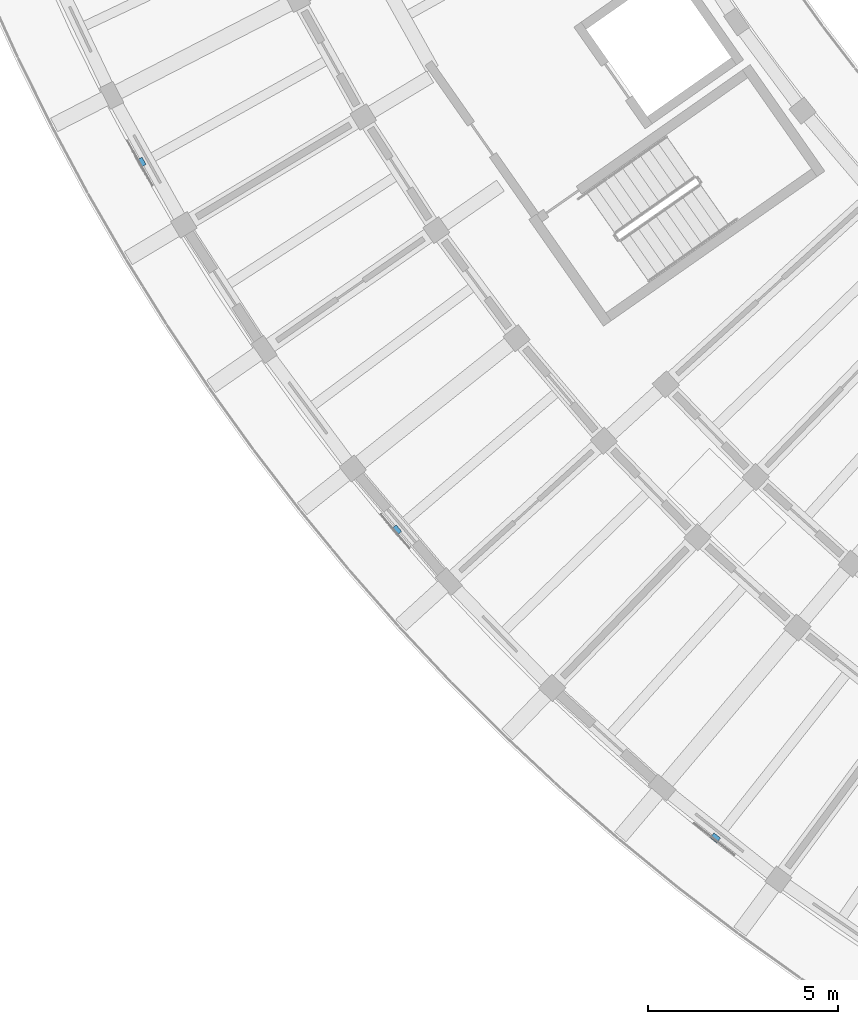
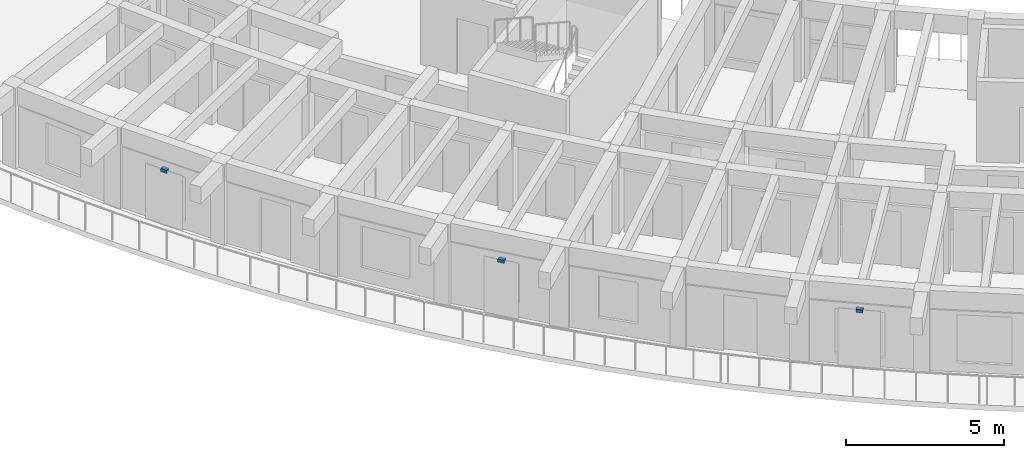
# One storey, part 38 of 56: 3 discrete accessories.
"""IFC4 building model written with IfcOpenShell, lengths in metres."""

from ifc_helpers import new_model, si_unit, direction, frame, origin, origin_2d, place, context, subcontext, project, spatial, rectangle, extrude, material, type_object, element, save


model = new_model("IFC4")

# Units and contexts
model_context = context("Model", 3, precision=1e-05, world=origin(), true_north=direction((0.0, 1.0)))
body_context = subcontext(model_context, "Body", "Model", "MODEL_VIEW")
ifc_project = project(units=[si_unit("LENGTHUNIT", "METRE"), si_unit("AREAUNIT", "SQUARE_METRE"), si_unit("VOLUMEUNIT", "CUBIC_METRE"), si_unit("PLANEANGLEUNIT", "RADIAN"), si_unit("MASSUNIT", "GRAM", prefix="KILO")], contexts=[model_context])

# Site, building, storey
site_placement = place(None, origin())
site = spatial("IfcSite", under=ifc_project, at=site_placement, CompositionType="ELEMENT")
building_placement = place(site_placement, origin())
building = spatial("IfcBuilding", under=site, at=building_placement, Name="Tanwirah Colonnade Gardens", CompositionType="ELEMENT")
storey_placement = place(building_placement, frame((0.0, 0.0, 29.0)))
storey = spatial("IfcBuildingStorey", under=building, at=storey_placement, Name="L08", CompositionType="ELEMENT", Elevation=29.0)

# Discrete accessories
ifc_material = material(Name="Steel S355", Category="steel")
discrete_accessory_type = type_object("IfcDiscreteAccessoryType", Name="BRK-SS1", PredefinedType="BRACKET", material=ifc_material)
for number, where, z_axis, x_axis, name in (
    (1, (12.842041015625, 35.473876953125, 2.010009765625), (0.0, 0.0, 1.0), (0.486716582508, -0.873559939736, 0.0), "Solar screen support bracket C-L08-03"),
    (2, (19.5458984375, 25.810302734375, 2.050048828125), (0.0, 0.0, 1.0), (0.647788628629, -0.761820118282, 0.0), "Solar screen support bracket C-L08-06"),
    (3, (27.920166015625, 17.723388671875, 2.099853515625), (0.0, 0.0, 1.0), (0.78396556, -0.620804317586, 0.0), "Solar screen support bracket C-L08-09"),
):
    element("IfcDiscreteAccessory", number, at=place(storey_placement, frame(where, z_axis=z_axis, x_axis=x_axis)), inside=storey, type_object=discrete_accessory_type, Name=name, PredefinedType="BRACKET", context=body_context, shape_type="SweptSolid", body=[
        extrude(rectangle(XDim=0.219970703125, YDim=0.159912109375, at=origin_2d()), origin(), (0.0, 0.0, 1.0), 0.1201171875),
    ])

save(model, "model.ifc")
